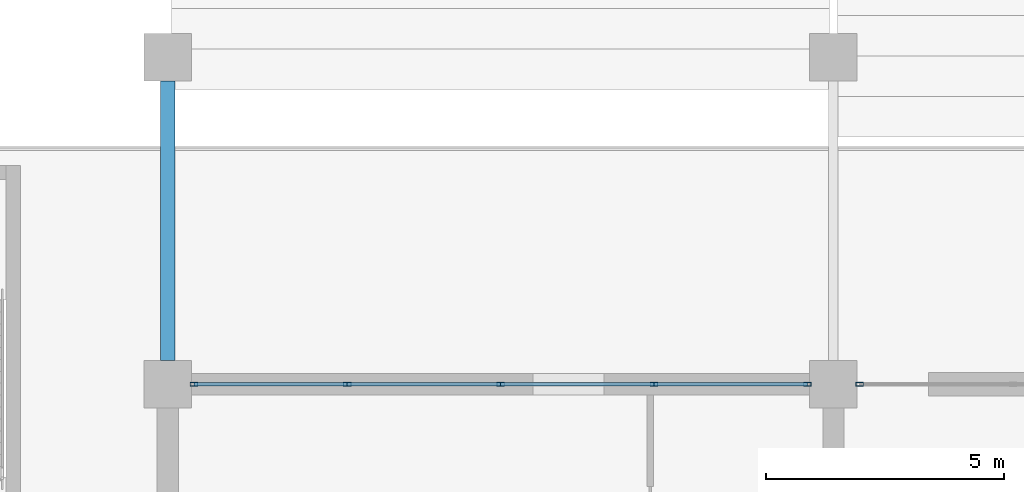
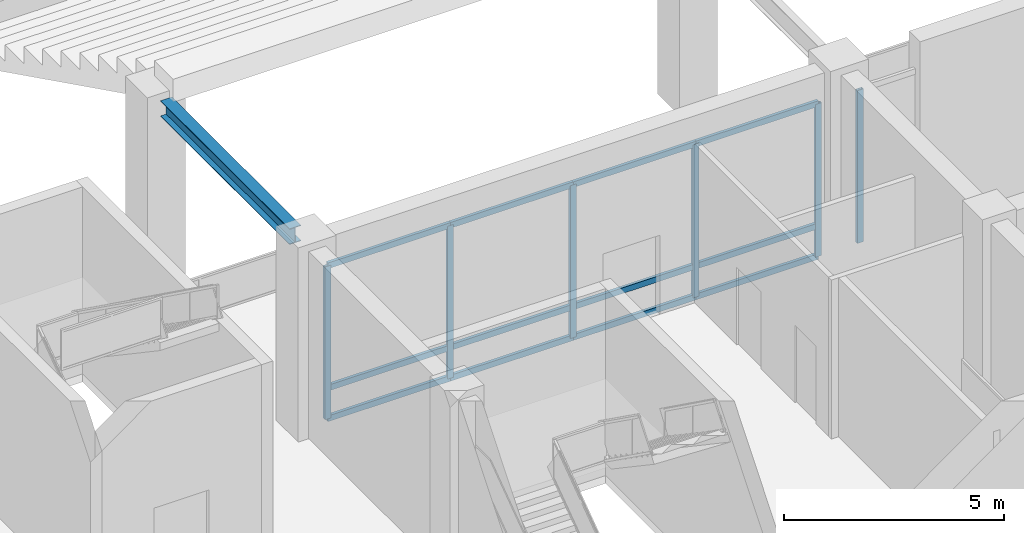
# One storey, part 33 of 117: 18 members, 1 beam, 2 elements without a shape of their own.
"""IFC4 building model written with IfcOpenShell, lengths in metres."""

from ifc_helpers import new_model, si_unit, direction, frame, origin, origin_2d, place, context, subcontext, project, spatial, hollow_rectangle, i_section, extrude, material, material_profile, profile_set, type_object, element, aggregate, save


model = new_model("IFC4")

# Units and contexts
model_context = context("Model", 3, precision=1e-05, world=origin(), true_north=direction((0.0, 1.0)))
body_context = subcontext(model_context, "Body", "Model", "MODEL_VIEW")
ifc_project = project(units=[si_unit("LENGTHUNIT", "METRE"), si_unit("AREAUNIT", "SQUARE_METRE"), si_unit("VOLUMEUNIT", "CUBIC_METRE"), si_unit("PLANEANGLEUNIT", "RADIAN"), si_unit("MASSUNIT", "GRAM", prefix="KILO")], contexts=[model_context])

# Site, building, storey
site_placement = place(None, origin())
site = spatial("IfcSite", under=ifc_project, at=site_placement, CompositionType="ELEMENT")
building_placement = place(site_placement, origin())
building = spatial("IfcBuilding", under=site, at=building_placement, Name="Linyun Crest Stadium", CompositionType="ELEMENT")
storey_placement = place(building_placement, frame((0.0, 0.0, 6.0)))
storey = spatial("IfcBuildingStorey", under=building, at=storey_placement, Name="L02", CompositionType="ELEMENT", Elevation=6.0)

# Beam
ifc_material_1 = material(Name="Steel Q355C", Category="steel")
ifc_material_profile_1 = material_profile(ifc_material_1, i_section(OverallWidth=0.300048828125, OverallDepth=0.43994140625, WebThickness=0.010986328125, FlangeThickness=0.01806640625, at=origin_2d()), Name="HM 440x300")
ifc_profile_set_1 = profile_set([ifc_material_profile_1], Name="Steel Q355C")
beam_type = type_object("IfcBeamType", Name="B07", PredefinedType="BEAM", material=ifc_profile_set_1)
beam_placement = place(storey_placement, frame((-28.0, -73.0, 4.97998046875), z_axis=(0.0, 1.0, 0.0), x_axis=(-1.0, 0.0, 0.0)))
element("IfcBeam", 1, at=beam_placement, inside=storey, type_object=beam_type, Name="Frame beam B07 L02 912", PredefinedType="BEAM", context=body_context, shape_type="SweptSolid", body=[
    extrude(i_section(OverallWidth=0.300048828125, OverallDepth=0.43994140625, WebThickness=0.010986328125, FlangeThickness=0.01806640625, at=origin_2d()), origin(), (0.0, 0.0, 1.0), 5.875),
])

# Curtain wall, members
ifc_material_2 = material(Name="Verdigris steel and low-E curtain wall assembly", Category="steel")
curtain_wall_type = type_object("IfcCurtainWallType", Name="MCW03", PredefinedType="NOTDEFINED", material=ifc_material_2)
curtain_wall_1_placement = place(storey_placement, origin())
curtain_wall_1 = element("IfcCurtainWall", 2, at=curtain_wall_1_placement, inside=storey, type_object=curtain_wall_type, Name="CWR-131", PredefinedType="NOTDEFINED")
ifc_material_3 = material(Name="Aluminium thermally broken mullion", Category="aluminium")
ifc_material_profile_2 = material_profile(ifc_material_3, hollow_rectangle(XDim=0.080078125, YDim=0.159912109375, WallThickness=0.006103515625, at=origin_2d()), Name="RHS 160x80x6")
ifc_profile_set_2 = profile_set([ifc_material_profile_2], Name="Aluminium thermally broken mullion")
member_type_1 = type_object("IfcMemberType", Name="ML01", PredefinedType="MULLION", material=ifc_profile_set_2)
member_1_placement = place(storey_placement, frame((-27.449951171875, -73.5, 0.0), z_axis=(0.0, 0.0, 1.0), x_axis=(0.0, 1.0, 0.0)))
member_1 = element("IfcMember", 3, at=member_1_placement, type_object=member_type_1, Name="CWR-131 mullion 1", PredefinedType="MULLION", context=body_context, shape_type="SweptSolid", body=[
    extrude(hollow_rectangle(XDim=0.080078125, YDim=0.159912109375, WallThickness=0.006103515625, at=origin_2d()), origin(), (0.0, 0.0, 1.0), 4.25),
])
member_2_placement = place(storey_placement, frame((-24.22509765625, -73.5, 0.0), z_axis=(0.0, 0.0, 1.0), x_axis=(0.0, 1.0, 0.0)))
member_2 = element("IfcMember", 4, at=member_2_placement, type_object=member_type_1, Name="CWR-131 mullion 2", PredefinedType="MULLION", context=body_context, shape_type="SweptSolid", body=[
    extrude(hollow_rectangle(XDim=0.080078125, YDim=0.159912109375, WallThickness=0.006103515625, at=origin_2d()), origin(), (0.0, 0.0, 1.0), 4.25),
])
member_3_placement = place(storey_placement, frame((-21.0, -73.5, 0.0), z_axis=(0.0, 0.0, 1.0), x_axis=(0.0, 1.0, 0.0)))
member_3 = element("IfcMember", 5, at=member_3_placement, type_object=member_type_1, Name="CWR-131 mullion 3", PredefinedType="MULLION", context=body_context, shape_type="SweptSolid", body=[
    extrude(hollow_rectangle(XDim=0.080078125, YDim=0.159912109375, WallThickness=0.006103515625, at=origin_2d()), origin(), (0.0, 0.0, 1.0), 4.25),
])
member_4_placement = place(storey_placement, frame((-17.77490234375, -73.5, 0.0), z_axis=(0.0, 0.0, 1.0), x_axis=(0.0, 1.0, 0.0)))
member_4 = element("IfcMember", 6, at=member_4_placement, type_object=member_type_1, Name="CWR-131 mullion 4", PredefinedType="MULLION", context=body_context, shape_type="SweptSolid", body=[
    extrude(hollow_rectangle(XDim=0.080078125, YDim=0.159912109375, WallThickness=0.006103515625, at=origin_2d()), origin(), (0.0, 0.0, 1.0), 4.25),
])
member_5_placement = place(storey_placement, frame((-14.550048828125, -73.5, 0.0), z_axis=(0.0, 0.0, 1.0), x_axis=(0.0, 1.0, 0.0)))
member_5 = element("IfcMember", 7, at=member_5_placement, type_object=member_type_1, Name="CWR-131 mullion 5", PredefinedType="MULLION", context=body_context, shape_type="SweptSolid", body=[
    extrude(hollow_rectangle(XDim=0.080078125, YDim=0.159912109375, WallThickness=0.006103515625, at=origin_2d()), origin(), (0.0, 0.0, 1.0), 4.25),
])

# Curtain wall, member
curtain_wall_2_placement = place(storey_placement, origin())
curtain_wall_2 = element("IfcCurtainWall", 8, at=curtain_wall_2_placement, inside=storey, type_object=curtain_wall_type, Name="CWR-138", PredefinedType="NOTDEFINED")
member_6_placement = place(storey_placement, frame((-13.449951171875, -73.5, 0.0), z_axis=(0.0, 0.0, 1.0), x_axis=(0.0, 1.0, 0.0)))
member_6 = element("IfcMember", 9, at=member_6_placement, type_object=member_type_1, Name="CWR-138 mullion 1", PredefinedType="MULLION", context=body_context, shape_type="SweptSolid", body=[
    extrude(hollow_rectangle(XDim=0.080078125, YDim=0.159912109375, WallThickness=0.006103515625, at=origin_2d()), origin(), (0.0, 0.0, 1.0), 4.25),
])
aggregate(curtain_wall_2, [member_6])

# Member
ifc_material_4 = material(Name="Aluminium thermally broken transom", Category="aluminium")
ifc_material_profile_3 = material_profile(ifc_material_4, hollow_rectangle(XDim=0.080078125, YDim=0.159912109375, WallThickness=0.006103515625, at=origin_2d()), Name="RHS 160x80x6")
ifc_profile_set_3 = profile_set([ifc_material_profile_3], Name="Aluminium thermally broken transom")
member_type_2 = type_object("IfcMemberType", Name="TR01", PredefinedType="USERDEFINED", material=ifc_profile_set_3)
member_7_placement = place(storey_placement, frame((-27.449951171875, -73.5, 0.0), z_axis=(1.0, 0.0, 0.0), x_axis=(0.0, 1.0, 0.0)))
member_7 = element("IfcMember", 10, at=member_7_placement, type_object=member_type_2, Name="CWR-131 transom 1.1", ObjectType="TRANSOM", PredefinedType="USERDEFINED", context=body_context, shape_type="SweptSolid", body=[
    extrude(hollow_rectangle(XDim=0.080078125, YDim=0.159912109375, WallThickness=0.006103515625, at=origin_2d()), origin(), (0.0, 0.0, 1.0), 3.224853515625),
])

member_8_placement = place(storey_placement, frame((-27.449951171875, -73.5, 0.85009765625), z_axis=(1.0, 0.0, 0.0), x_axis=(0.0, 1.0, 0.0)))
member_8 = element("IfcMember", 11, at=member_8_placement, type_object=member_type_2, Name="CWR-131 transom 1.2", ObjectType="TRANSOM", PredefinedType="USERDEFINED", context=body_context, shape_type="SweptSolid", body=[
    extrude(hollow_rectangle(XDim=0.080078125, YDim=0.159912109375, WallThickness=0.006103515625, at=origin_2d()), origin(), (0.0, 0.0, 1.0), 3.224853515625),
])

member_9_placement = place(storey_placement, frame((-27.449951171875, -73.5, 4.25), z_axis=(1.0, 0.0, 0.0), x_axis=(0.0, 1.0, 0.0)))
member_9 = element("IfcMember", 12, at=member_9_placement, type_object=member_type_2, Name="CWR-131 transom 1.3", ObjectType="TRANSOM", PredefinedType="USERDEFINED", context=body_context, shape_type="SweptSolid", body=[
    extrude(hollow_rectangle(XDim=0.080078125, YDim=0.159912109375, WallThickness=0.006103515625, at=origin_2d()), origin(), (0.0, 0.0, 1.0), 3.224853515625),
])

member_10_placement = place(storey_placement, frame((-24.22509765625, -73.5, 0.0), z_axis=(1.0, 0.0, 0.0), x_axis=(0.0, 1.0, 0.0)))
member_10 = element("IfcMember", 13, at=member_10_placement, type_object=member_type_2, Name="CWR-131 transom 2.1", ObjectType="TRANSOM", PredefinedType="USERDEFINED", context=body_context, shape_type="SweptSolid", body=[
    extrude(hollow_rectangle(XDim=0.080078125, YDim=0.159912109375, WallThickness=0.006103515625, at=origin_2d()), origin(), (0.0, 0.0, 1.0), 3.22509765625),
])

member_11_placement = place(storey_placement, frame((-24.22509765625, -73.5, 0.85009765625), z_axis=(1.0, 0.0, 0.0), x_axis=(0.0, 1.0, 0.0)))
member_11 = element("IfcMember", 14, at=member_11_placement, type_object=member_type_2, Name="CWR-131 transom 2.2", ObjectType="TRANSOM", PredefinedType="USERDEFINED", context=body_context, shape_type="SweptSolid", body=[
    extrude(hollow_rectangle(XDim=0.080078125, YDim=0.159912109375, WallThickness=0.006103515625, at=origin_2d()), origin(), (0.0, 0.0, 1.0), 3.22509765625),
])

member_12_placement = place(storey_placement, frame((-24.22509765625, -73.5, 4.25), z_axis=(1.0, 0.0, 0.0), x_axis=(0.0, 1.0, 0.0)))
member_12 = element("IfcMember", 15, at=member_12_placement, type_object=member_type_2, Name="CWR-131 transom 2.3", ObjectType="TRANSOM", PredefinedType="USERDEFINED", context=body_context, shape_type="SweptSolid", body=[
    extrude(hollow_rectangle(XDim=0.080078125, YDim=0.159912109375, WallThickness=0.006103515625, at=origin_2d()), origin(), (0.0, 0.0, 1.0), 3.22509765625),
])

member_13_placement = place(storey_placement, frame((-21.0, -73.5, 0.0), z_axis=(1.0, 0.0, 0.0), x_axis=(0.0, 1.0, 0.0)))
member_13 = element("IfcMember", 16, at=member_13_placement, type_object=member_type_2, Name="CWR-131 transom 3.1", ObjectType="TRANSOM", PredefinedType="USERDEFINED", context=body_context, shape_type="SweptSolid", body=[
    extrude(hollow_rectangle(XDim=0.080078125, YDim=0.159912109375, WallThickness=0.006103515625, at=origin_2d()), origin(), (0.0, 0.0, 1.0), 3.22509765625),
])

member_14_placement = place(storey_placement, frame((-21.0, -73.5, 0.85009765625), z_axis=(1.0, 0.0, 0.0), x_axis=(0.0, 1.0, 0.0)))
member_14 = element("IfcMember", 17, at=member_14_placement, type_object=member_type_2, Name="CWR-131 transom 3.2", ObjectType="TRANSOM", PredefinedType="USERDEFINED", context=body_context, shape_type="SweptSolid", body=[
    extrude(hollow_rectangle(XDim=0.080078125, YDim=0.159912109375, WallThickness=0.006103515625, at=origin_2d()), origin(), (0.0, 0.0, 1.0), 3.22509765625),
])

member_15_placement = place(storey_placement, frame((-21.0, -73.5, 4.25), z_axis=(1.0, 0.0, 0.0), x_axis=(0.0, 1.0, 0.0)))
member_15 = element("IfcMember", 18, at=member_15_placement, type_object=member_type_2, Name="CWR-131 transom 3.3", ObjectType="TRANSOM", PredefinedType="USERDEFINED", context=body_context, shape_type="SweptSolid", body=[
    extrude(hollow_rectangle(XDim=0.080078125, YDim=0.159912109375, WallThickness=0.006103515625, at=origin_2d()), origin(), (0.0, 0.0, 1.0), 3.22509765625),
])

member_16_placement = place(storey_placement, frame((-17.77490234375, -73.5, 0.0), z_axis=(1.0, 0.0, 0.0), x_axis=(0.0, 1.0, 0.0)))
member_16 = element("IfcMember", 19, at=member_16_placement, type_object=member_type_2, Name="CWR-131 transom 4.1", ObjectType="TRANSOM", PredefinedType="USERDEFINED", context=body_context, shape_type="SweptSolid", body=[
    extrude(hollow_rectangle(XDim=0.080078125, YDim=0.159912109375, WallThickness=0.006103515625, at=origin_2d()), origin(), (0.0, 0.0, 1.0), 3.224853515625),
])

member_17_placement = place(storey_placement, frame((-17.77490234375, -73.5, 0.85009765625), z_axis=(1.0, 0.0, 0.0), x_axis=(0.0, 1.0, 0.0)))
member_17 = element("IfcMember", 20, at=member_17_placement, type_object=member_type_2, Name="CWR-131 transom 4.2", ObjectType="TRANSOM", PredefinedType="USERDEFINED", context=body_context, shape_type="SweptSolid", body=[
    extrude(hollow_rectangle(XDim=0.080078125, YDim=0.159912109375, WallThickness=0.006103515625, at=origin_2d()), origin(), (0.0, 0.0, 1.0), 3.224853515625),
])

member_18_placement = place(storey_placement, frame((-17.77490234375, -73.5, 4.25), z_axis=(1.0, 0.0, 0.0), x_axis=(0.0, 1.0, 0.0)))
member_18 = element("IfcMember", 21, at=member_18_placement, type_object=member_type_2, Name="CWR-131 transom 4.3", ObjectType="TRANSOM", PredefinedType="USERDEFINED", context=body_context, shape_type="SweptSolid", body=[
    extrude(hollow_rectangle(XDim=0.080078125, YDim=0.159912109375, WallThickness=0.006103515625, at=origin_2d()), origin(), (0.0, 0.0, 1.0), 3.224853515625),
])

aggregate(curtain_wall_1, [member_1, member_2, member_3, member_4, member_5, member_7, member_8, member_9, member_10, member_11, member_12, member_13, member_14, member_15, member_16, member_17, member_18])

save(model, "model.ifc")
